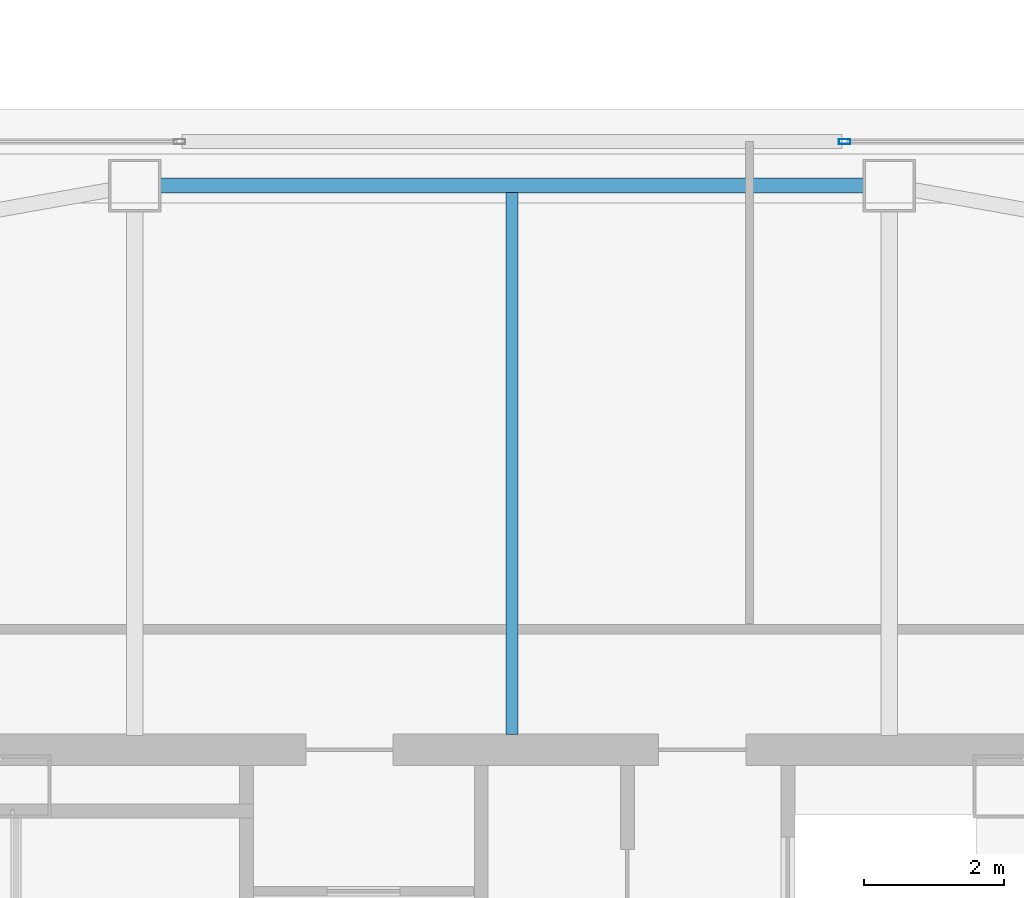
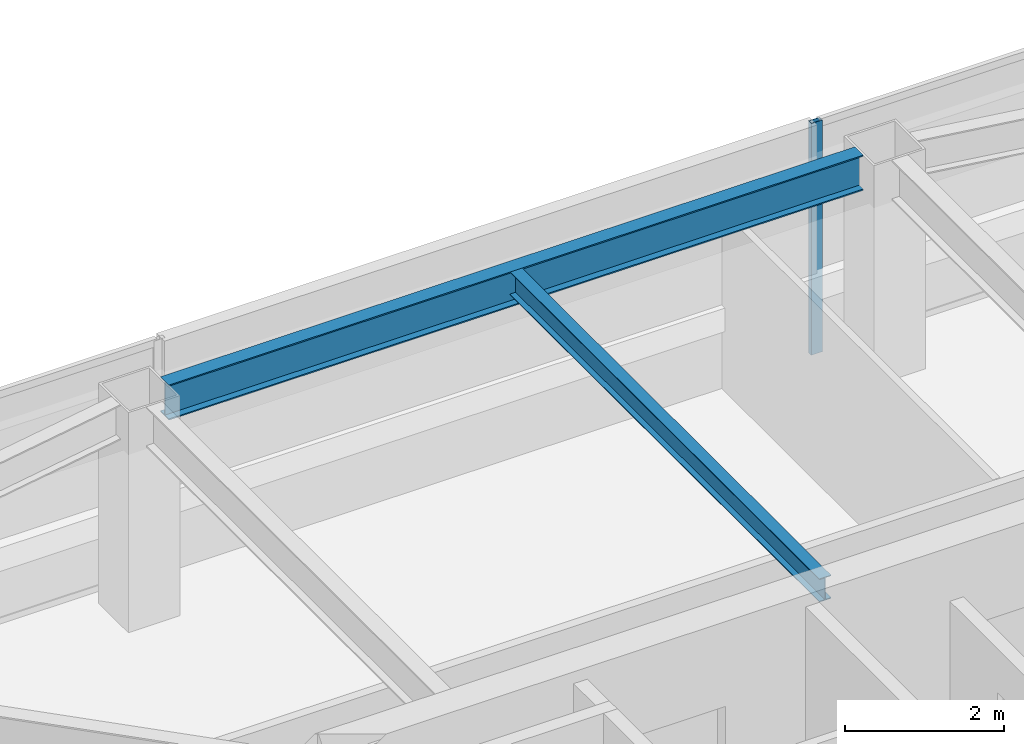
# One storey, part 14 of 39: 2 beams, 1 member, 1 element without a shape of its own.
"""IFC4 building model written with IfcOpenShell, lengths in metres."""

import ifcopenshell
import ifcopenshell.guid

model = None  # the IFC model being written
_history = None  # IfcOwnerHistory: only IFC2X3 demands one
_inside = {}  # id of a spatial element -> (the spatial element, [elements in it])
_under = {}  # id of a project, library or spatial element -> (it, [spatial elements below it])
_declared = {}  # id of a project -> (the project, [libraries it declares])
_typed = {}  # id of a type object -> (the type object, [elements of that type])
_made_of = {}  # id of a material, layer set ... -> (it, [elements and type objects made of it])


def new_model(schema):
    """Start an empty IFC model of exactly this schema.

    Asked for "IFC4X3", IfcOpenShell would pick the latest addendum, in which some entities
    have other attributes; the version numbers below select the first issue.
    IFC2X3 requires an IfcOwnerHistory on every rooted entity: one is made here for all.
    """
    global model, _history
    if schema == "IFC4X3":
        model = ifcopenshell.file(schema_version=(4, 3, 0, 0))
    else:
        model = ifcopenshell.file(schema=schema)
    _inside.clear()
    _under.clear()
    _declared.clear()
    _typed.clear()
    _made_of.clear()
    _history = None
    if model.schema == "IFC2X3":
        org = make("IfcOrganization", Name="unknown")
        user = make(
            "IfcPersonAndOrganization",
            ThePerson=make("IfcPerson", FamilyName="unknown"),
            TheOrganization=org,
        )
        app = make(
            "IfcApplication",
            ApplicationDeveloper=org,
            Version="unknown",
            ApplicationFullName="unknown",
            ApplicationIdentifier="unknown",
        )
        _history = make(
            "IfcOwnerHistory",
            OwningUser=user,
            OwningApplication=app,
            ChangeAction="ADDED",
            CreationDate=0,
        )
    return model


def make(cls, **values):
    """One entity of the class cls with the attributes given. An attribute that is None is left unset."""
    return model.create_entity(
        cls, **{name: value for name, value in values.items() if value is not None}
    )


def rooted(cls, **values):
    """An entity with a GlobalId (a new one), such as an element, a storey or a relation."""
    return make(cls, GlobalId=ifcopenshell.guid.new(), OwnerHistory=_history, **values)


def si_unit(unit_type, name, prefix=None):
    """IfcSIUnit, for example si_unit("LENGTHUNIT", "METRE", prefix="MILLI")."""
    return make("IfcSIUnit", UnitType=unit_type, Prefix=prefix, Name=name)


def assignment(units):
    """IfcUnitAssignment: the units of a project."""
    return None if units is None else make("IfcUnitAssignment", Units=units)


def point(xyz):
    """IfcCartesianPoint."""
    return None if xyz is None else make("IfcCartesianPoint", Coordinates=xyz)


def direction(xyz):
    """IfcDirection."""
    return None if xyz is None else make("IfcDirection", DirectionRatios=xyz)


def frame(location, z_axis=None, x_axis=None):
    """IfcAxis2Placement3D, a coordinate frame: its origin and axes. An axis left out is left unset."""
    return make(
        "IfcAxis2Placement3D",
        Location=point(location),
        Axis=direction(z_axis),
        RefDirection=direction(x_axis),
    )


def frame_2d(location, x_axis=None):
    """IfcAxis2Placement2D, a coordinate frame in the plane: its origin and x axis."""
    return make(
        "IfcAxis2Placement2D", Location=point(location), RefDirection=direction(x_axis)
    )


def origin():
    """The frame at (0, 0, 0) with its axes left unset."""
    return frame((0.0, 0.0, 0.0))


def origin_2d():
    """The frame at (0, 0) in the plane with its x axis left unset."""
    return frame_2d((0.0, 0.0))


def place(relative_to, where):
    """IfcLocalPlacement: puts the frame where relative to a parent placement (None: the world)."""
    return make(
        "IfcLocalPlacement", PlacementRelTo=relative_to, RelativePlacement=where
    )


def context(
    kind, dimensions, precision=None, world=None, true_north=None, identifier=None
):
    """IfcGeometricRepresentationContext, for example the 3D "Model" context."""
    return make(
        "IfcGeometricRepresentationContext",
        ContextIdentifier=identifier,
        ContextType=kind,
        CoordinateSpaceDimension=dimensions,
        Precision=precision,
        WorldCoordinateSystem=world,
        TrueNorth=true_north,
    )


def subcontext(parent, identifier, kind, view, scale=None):
    """IfcGeometricRepresentationSubContext, for example "Body" below "Model"."""
    return make(
        "IfcGeometricRepresentationSubContext",
        ContextIdentifier=identifier,
        ContextType=kind,
        ParentContext=parent,
        TargetScale=scale,
        TargetView=view,
    )


def project(units=None, contexts=None):
    """IfcProject with its units and contexts."""
    return rooted(
        "IfcProject",
        Name="project",
        RepresentationContexts=contexts,
        UnitsInContext=assignment(units),
    )


def spatial(cls, under=None, at=None, **own):
    """A site, building, storey or space (cls), placed at a placement, below another one or the project."""
    s = rooted(cls, ObjectPlacement=at, **own)
    if under is not None:
        _under.setdefault(under.id(), (under, []))[1].append(s)
    return s


def profile(cls, at=None, kind="AREA", **sizes):
    """A parametric profile (cls). Its sizes go by their IFC names, for example OverallWidth=200.0."""
    return make(cls, ProfileType=kind, Position=at, **sizes)


def hollow_rectangle(**sizes):
    """IfcRectangleHollowProfileDef."""
    return profile("IfcRectangleHollowProfileDef", **sizes)


def i_section(**sizes):
    """IfcIShapeProfileDef."""
    return profile("IfcIShapeProfileDef", **sizes)


def extrude(swept, where, along, depth):
    """IfcExtrudedAreaSolid: the profile swept, set in the frame where, extruded along a direction by depth."""
    return make(
        "IfcExtrudedAreaSolid",
        SweptArea=swept,
        Position=where,
        ExtrudedDirection=direction(along),
        Depth=depth,
    )


def shape(context_of_items, identifier, shape_type, items):
    """IfcShapeRepresentation: the items that make up one representation, for example the "Body"."""
    return make(
        "IfcShapeRepresentation",
        ContextOfItems=context_of_items,
        RepresentationIdentifier=identifier,
        RepresentationType=shape_type,
        Items=items,
    )


def material(Name=None, Category=None):
    """IfcMaterial."""
    return make("IfcMaterial", Name=Name, Category=Category)


def material_profile(
    of_material, cross_section, Name=None, Category=None, Priority=None
):
    """IfcMaterialProfile: a cross section and its material."""
    return make(
        "IfcMaterialProfile",
        Name=Name,
        Material=of_material,
        Profile=cross_section,
        Priority=Priority,
        Category=Category,
    )


def profile_set(profiles, Name=None, composite=None):
    """IfcMaterialProfileSet."""
    return make(
        "IfcMaterialProfileSet",
        Name=Name,
        MaterialProfiles=profiles,
        CompositeProfile=composite,
    )


def made_of(thing, what):
    """Note that an element or type object is made of a material, layer set ...; save() writes the relation."""
    if what is not None:
        _made_of.setdefault(what.id(), (what, []))[1].append(thing)
    return thing


def type_object(cls, material=None, **own):
    """A type object (cls), such as IfcWallType, which elements share."""
    return made_of(rooted(cls, **own), material)


def element(
    cls,
    number,
    at=None,
    inside=None,
    cuts=None,
    type_object=None,
    material=None,
    context=None,
    identifier="Body",
    shape_type=None,
    held_by="IfcProductDefinitionShape",
    body=None,
    shapes=None,
    **own,
):
    """One element of the class cls, such as IfcWall. Its Tag is "e" and its number.

    at: its placement. inside: the storey or other place that contains it. cuts: it is an
    opening in that element (IfcRelVoidsElement). A single representation is given by context,
    identifier, shape_type and body (its items); several are given by shapes. held_by: the class
    of the entity that holds the representations. save() writes the other relations.
    """
    e = rooted(cls, Tag="e%d" % number, ObjectPlacement=at, **own)
    if body is not None:
        shapes = [shape(context, identifier, shape_type, body)]
    if shapes is not None:
        e.Representation = make(held_by, Representations=shapes)
    if inside is not None:
        _inside.setdefault(inside.id(), (inside, []))[1].append(e)
    if cuts is not None:
        rooted(
            "IfcRelVoidsElement", RelatingBuildingElement=cuts, RelatedOpeningElement=e
        )
    if type_object is not None:
        _typed.setdefault(type_object.id(), (type_object, []))[1].append(e)
    return made_of(e, material)


def aggregate(whole, parts):
    """IfcRelAggregates: a whole, such as a stair, and the parts it consists of."""
    return rooted("IfcRelAggregates", RelatingObject=whole, RelatedObjects=parts)


def save(model, path):
    """Write the relations noted so far, then the file.

    IfcRelAggregates (storeys below a building ...), IfcRelContainedInSpatialStructure (elements
    in a storey), IfcRelDefinesByType, IfcRelAssociatesMaterial and IfcRelDeclares: one each for
    every whole, place, type object, material and project.
    """
    for whole, parts in _under.values():
        aggregate(whole, parts)
    for where, things in _inside.values():
        rooted(
            "IfcRelContainedInSpatialStructure",
            RelatedElements=things,
            RelatingStructure=where,
        )
    for kind, things in _typed.values():
        rooted("IfcRelDefinesByType", RelatedObjects=things, RelatingType=kind)
    for what, things in _made_of.values():
        rooted("IfcRelAssociatesMaterial", RelatedObjects=things, RelatingMaterial=what)
    for by, libraries in _declared.values():
        rooted("IfcRelDeclares", RelatingContext=by, RelatedDefinitions=libraries)
    model.write(path)


model = new_model("IFC4")

# Units and contexts
model_context = context("Model", 3, precision=1e-05, world=origin(), true_north=direction((0.0, 1.0)))
body_context = subcontext(model_context, "Body", "Model", "MODEL_VIEW")
ifc_project = project(units=[si_unit("LENGTHUNIT", "METRE"), si_unit("AREAUNIT", "SQUARE_METRE"), si_unit("VOLUMEUNIT", "CUBIC_METRE"), si_unit("PLANEANGLEUNIT", "RADIAN"), si_unit("MASSUNIT", "GRAM", prefix="KILO")], contexts=[model_context])

# Site, building, storey
site_placement = place(None, origin())
site = spatial("IfcSite", under=ifc_project, at=site_placement, CompositionType="ELEMENT")
building_placement = place(site_placement, origin())
building = spatial("IfcBuilding", under=site, at=building_placement, Name="Tashvorn Skyway Center", CompositionType="ELEMENT")
storey_placement = place(building_placement, frame((0.0, 0.0, 207.75)))
storey = spatial("IfcBuildingStorey", under=building, at=storey_placement, Name="L56", CompositionType="ELEMENT", Elevation=207.75)

# Beams
ifc_material_1 = material(Name="Steel ASTM A992 Grade 50", Category="steel")
ifc_material_profile_1 = material_profile(ifc_material_1, i_section(OverallWidth=0.1708984375, OverallDepth=0.35498046875, WebThickness=0.007080078125, FlangeThickness=0.01171875, at=origin_2d()), Name="W14X34")
ifc_profile_set_1 = profile_set([ifc_material_profile_1], Name="Steel ASTM A992 Grade 50")
beam_type_1 = type_object("IfcBeamType", Name="BM-JOIST-W14X34", PredefinedType="JOIST", material=ifc_profile_set_1)
beam_1_placement = place(storey_placement, frame((42.0, 39.7900390625, 3.1923828125), z_axis=(0.0, 1.0, 0.0), x_axis=(-1.0, 0.0, 0.0)))
element("IfcBeam", 1, at=beam_1_placement, inside=storey, type_object=beam_type_1, Name="Tower 1 L56 Secondary Composite Joist JN", PredefinedType="JOIST", context=body_context, shape_type="SweptSolid", body=[
    extrude(i_section(OverallWidth=0.1708984375, OverallDepth=0.35498046875, WebThickness=0.007080078125, FlangeThickness=0.01171875, at=origin_2d()), origin(), (0.0, 0.0, 1.0), 7.762451171875),
])
ifc_material_profile_2 = material_profile(ifc_material_1, i_section(OverallWidth=0.2109375, OverallDepth=0.5390625, WebThickness=0.01171875, FlangeThickness=0.018798828125, at=origin_2d()), Name="W21X73")
ifc_profile_set_2 = profile_set([ifc_material_profile_2], Name="Steel ASTM A992 Grade 50")
beam_type_2 = type_object("IfcBeamType", Name="BM-SPANDREL-W21X73", PredefinedType="SPANDREL", material=ifc_profile_set_2)
beam_2_placement = place(storey_placement, frame((47.030029296875, 47.64990234375, 3.1005859375), z_axis=(-1.0, 0.0, 0.0), x_axis=(0.0, -1.0, 0.0)))
element("IfcBeam", 2, at=beam_2_placement, inside=storey, type_object=beam_type_2, Name="Tower 1 L56 Spandrel Beam 08", PredefinedType="SPANDREL", context=body_context, shape_type="SweptSolid", body=[
    extrude(i_section(OverallWidth=0.2109375, OverallDepth=0.5390625, WebThickness=0.01171875, FlangeThickness=0.018798828125, at=origin_2d()), origin(), (0.0, 0.0, 1.0), 10.06005859375),
])

# Curtain wall, member
ifc_material_2 = material(Name="Thermally broken bronze-anodized aluminium 6063-T6", Category="aluminium")
curtain_wall_type = type_object("IfcCurtainWallType", Name="CW-CW-Z5", PredefinedType="NOTDEFINED", material=ifc_material_2)
curtain_wall_placement = place(storey_placement, origin())
curtain_wall = element("IfcCurtainWall", 3, at=curtain_wall_placement, inside=storey, type_object=curtain_wall_type, Name="Tower 1 L56 North Unitised Curtain Wall Glazing Group 2", PredefinedType="NOTDEFINED")
ifc_material_profile_3 = material_profile(ifc_material_2, hollow_rectangle(XDim=0.070068359375, YDim=0.1650390625, WallThickness=0.00390625, at=origin_2d()), Name="ALU-MULL-70x165")
ifc_profile_set_3 = profile_set([ifc_material_profile_3], Name="Thermally broken bronze-anodized aluminium 6063-T6")
member_type = type_object("IfcMemberType", Name="CWM-CW-Z5", PredefinedType="MULLION", material=ifc_profile_set_3)
member_placement = place(storey_placement, frame((46.76171875, 48.280029296875, 0.0), z_axis=(0.0, 0.0, 1.0), x_axis=(0.0, 1.0, 0.0)))
member = element("IfcMember", 4, at=member_placement, type_object=member_type, Name="CW-Z5 mullion 1", PredefinedType="MULLION", context=body_context, shape_type="SweptSolid", body=[
    extrude(hollow_rectangle(XDim=0.070068359375, YDim=0.1650390625, WallThickness=0.00390625, at=origin_2d()), origin(), (0.0, 0.0, 1.0), 3.550048828125),
])
aggregate(curtain_wall, [member])

save(model, "model.ifc")
